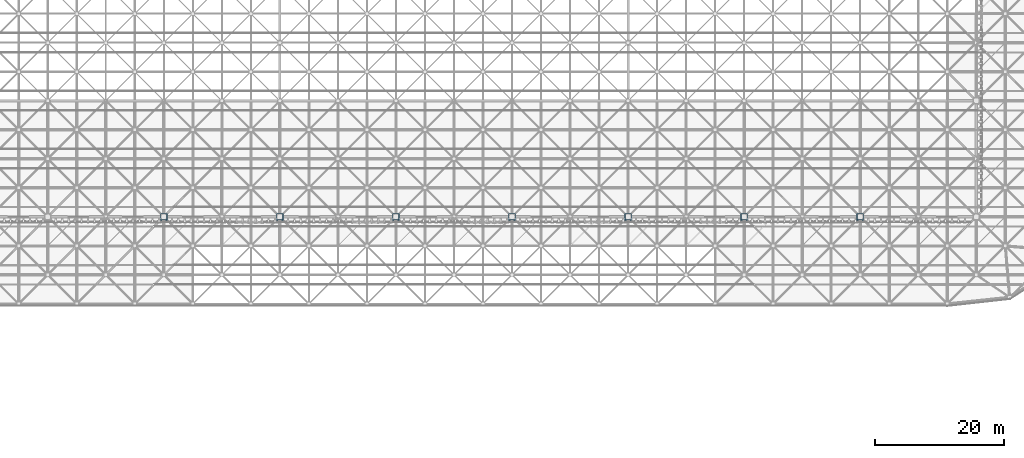
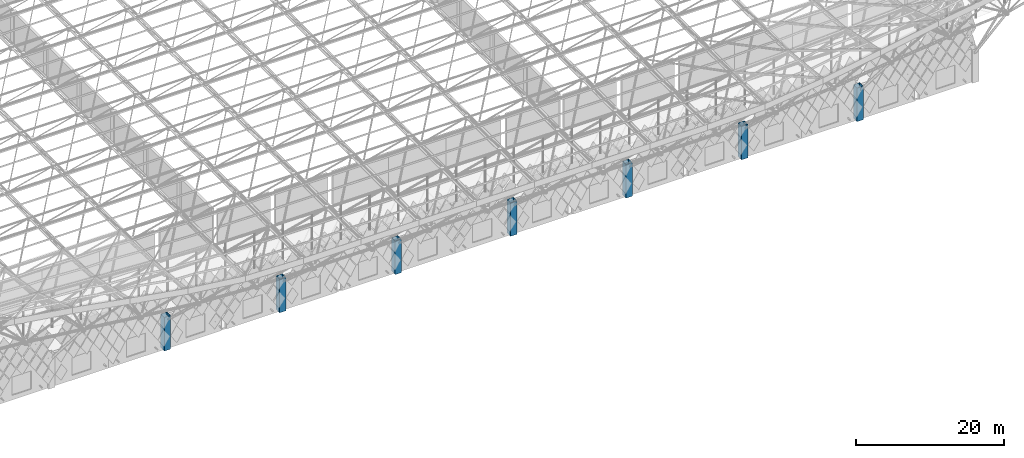
# One storey, part 4 of 437: 7 columns.
"""IFC4 building model written with IfcOpenShell, lengths in metres."""

from ifc_helpers import new_model, si_unit, direction, frame, origin, origin_2d, place, context, subcontext, project, spatial, hollow_rectangle, extrude, material, material_profile, profile_set, type_object, element, save


model = new_model("IFC4")

# Units and contexts
model_context = context("Model", 3, precision=1e-05, world=origin(), true_north=direction((0.0, 1.0)))
body_context = subcontext(model_context, "Body", "Model", "MODEL_VIEW")
ifc_project = project(units=[si_unit("LENGTHUNIT", "METRE"), si_unit("AREAUNIT", "SQUARE_METRE"), si_unit("VOLUMEUNIT", "CUBIC_METRE"), si_unit("PLANEANGLEUNIT", "RADIAN"), si_unit("MASSUNIT", "GRAM", prefix="KILO")], contexts=[model_context])

# Site, building, storey
site_placement = place(None, origin())
site = spatial("IfcSite", under=ifc_project, at=site_placement, CompositionType="ELEMENT")
building_placement = place(site_placement, origin())
building = spatial("IfcBuilding", under=site, at=building_placement, Name="Opaline Strait Convention Centre", CompositionType="ELEMENT")
storey_placement = place(building_placement, frame((0.0, 0.0, 11.5)))
storey = spatial("IfcBuildingStorey", under=building, at=storey_placement, Name="L02", CompositionType="ELEMENT", Elevation=11.5)

# Columns
ifc_material = material(Name="Steel Q355B", Category="steel")
ifc_material_profile = material_profile(ifc_material, hollow_rectangle(XDim=1.0, YDim=1.0, WallThickness=0.031982421875, at=origin_2d()), Name="BOX 1000x1000x32")
ifc_profile_set = profile_set([ifc_material_profile], Name="Steel Q355B")
column_type = type_object("IfcColumnType", Name="CFT column BOX 1000x1000x32 C60 fill", PredefinedType="COLUMN", material=ifc_profile_set)
for number, where, z_axis, x_axis, name in (
    (1, (135.0, 54.0, 0.0), (0.0, 0.0, 1.0), (1.0, 0.0, 0.0), "Roof column XC-10"),
    (2, (153.0, 54.0, 0.0), (0.0, 0.0, 1.0), (1.0, 0.0, 0.0), "Roof column XC-12"),
    (3, (171.0, 54.0, 0.0), (0.0, 0.0, 1.0), (1.0, 0.0, 0.0), "Roof column XC-14"),
    (4, (189.0, 54.0, 0.0), (0.0, 0.0, 1.0), (1.0, 0.0, 0.0), "Roof column XC-16"),
    (5, (207.0, 54.0, 0.0), (0.0, 0.0, 1.0), (1.0, 0.0, 0.0), "Roof column XC-18"),
    (6, (225.0, 54.0, 0.0), (0.0, 0.0, 1.0), (1.0, 0.0, 0.0), "Roof column XC-20"),
    (7, (243.0, 54.0, 0.0), (0.0, 0.0, 1.0), (1.0, 0.0, 0.0), "Roof column XC-22"),
):
    element("IfcColumn", number, at=place(storey_placement, frame(where, z_axis=z_axis, x_axis=x_axis)), inside=storey, type_object=column_type, Name=name, ObjectType="XC1", PredefinedType="COLUMN", context=body_context, shape_type="SweptSolid", body=[
        extrude(hollow_rectangle(XDim=1.0, YDim=1.0, WallThickness=0.031982421875, at=origin_2d()), origin(), (0.0, 0.0, 1.0), 5.5),
    ])

save(model, "model.ifc")
